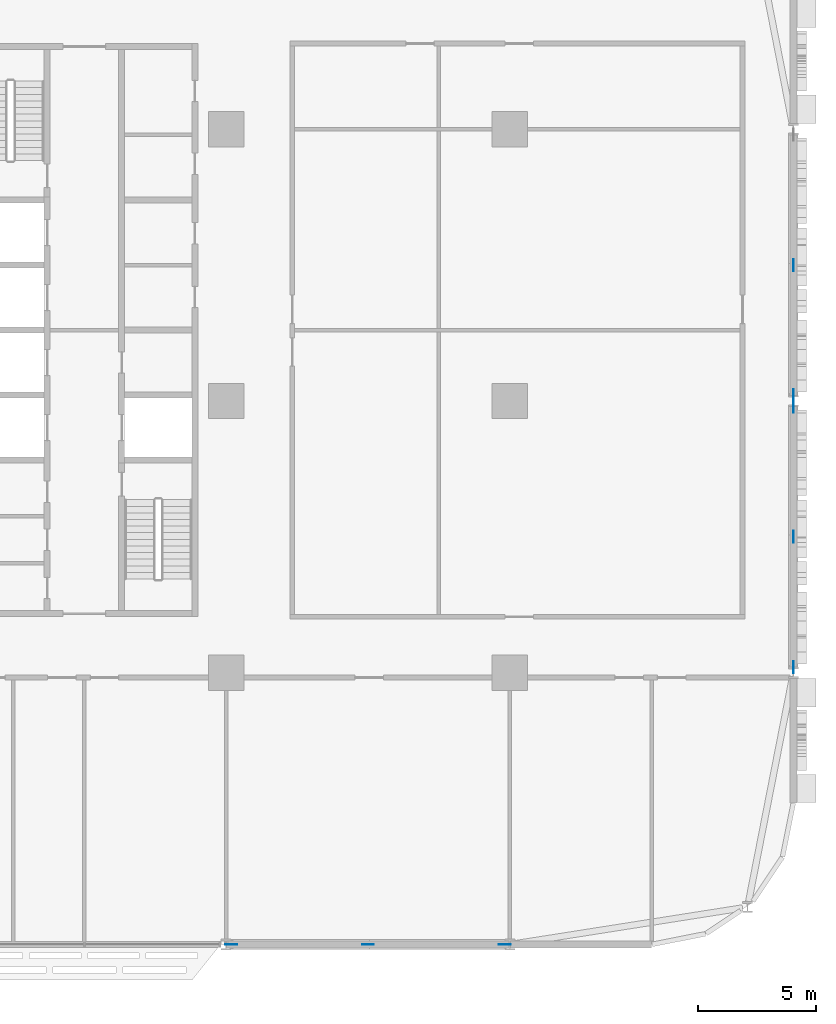
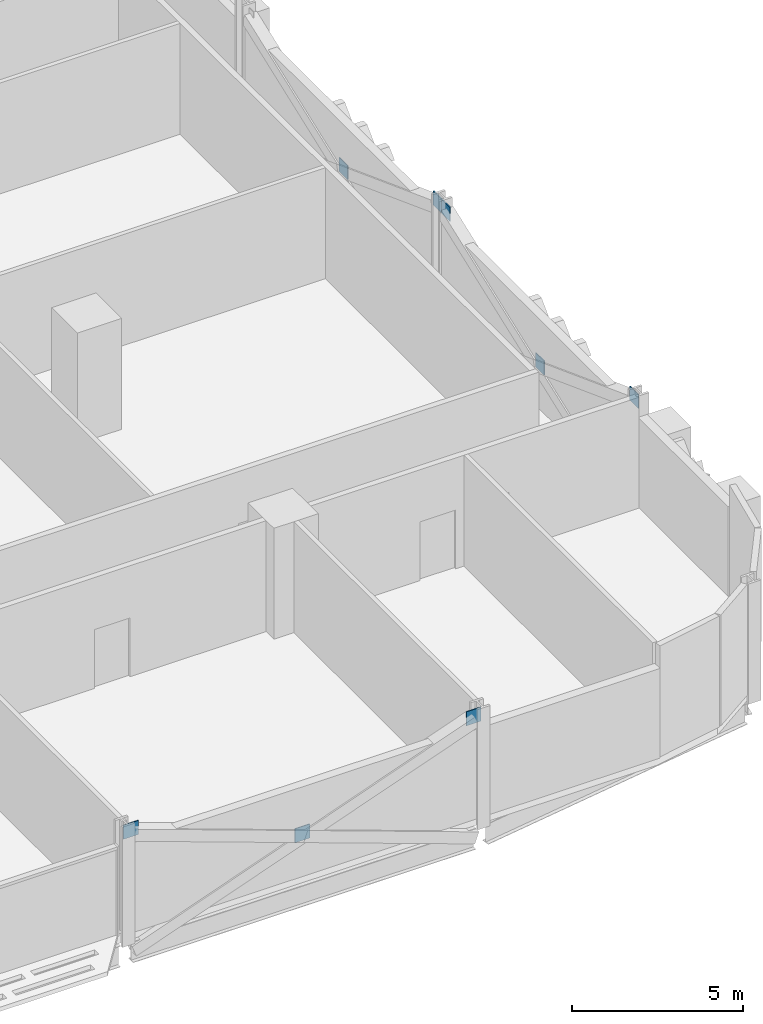
# One storey, part 22 of 29: 8 discrete accessories.
"""IFC4 building model written with IfcOpenShell, lengths in metres."""

from ifc_helpers import new_model, si_unit, direction, frame, origin, origin_2d, place, context, subcontext, project, spatial, rectangle, extrude, material, layer, layer_set, type_object, element, save


model = new_model("IFC4")

# Units and contexts
model_context = context("Model", 3, precision=1e-05, world=origin(), true_north=direction((0.0, 1.0)))
body_context = subcontext(model_context, "Body", "Model", "MODEL_VIEW")
ifc_project = project(units=[si_unit("LENGTHUNIT", "METRE"), si_unit("AREAUNIT", "SQUARE_METRE"), si_unit("VOLUMEUNIT", "CUBIC_METRE"), si_unit("PLANEANGLEUNIT", "RADIAN"), si_unit("MASSUNIT", "GRAM", prefix="KILO")], contexts=[model_context])

# Site, building, storey
site_placement = place(None, origin())
site = spatial("IfcSite", under=ifc_project, at=site_placement, CompositionType="ELEMENT")
building_placement = place(site_placement, origin())
building = spatial("IfcBuilding", under=site, at=building_placement, Name="Mahtab Terrace Research Tower", CompositionType="ELEMENT")
storey_placement = place(building_placement, frame((0.0, 0.0, 54.60009765625)))
storey = spatial("IfcBuildingStorey", under=building, at=storey_placement, Name="L12", CompositionType="ELEMENT", Elevation=54.60009765625)

# Discrete accessories
ifc_material = material(Name="Steel ASTM A992 Gr 50", Category="steel")
ifc_layer = layer(ifc_material, 0.030029296875)
ifc_layer_set = layer_set([ifc_layer], Name="Gusset plate 500x500x30")
discrete_accessory_type = type_object("IfcDiscreteAccessoryType", Name="Gusset plate 500x500x30", PredefinedType="USERDEFINED", material=ifc_layer_set)
for number, where, z_axis, x_axis, name in (
    (1, (30.212158203125, -23.0, 3.331298828125), (0.0, 0.0, 1.0), (1.0, 0.0, 0.0), "Gusset plate"),
    (2, (36.0, -23.0, 1.181396484375), (0.0, 0.0, 1.0), (1.0, 0.0, 0.0), "Gusset plate"),
    (3, (41.787841796875, -23.0, 3.331298828125), (0.0, 0.0, 1.0), (1.0, 0.0, 0.0), "Gusset plate"),
    (4, (54.0, -11.262451171875, 3.331298828125), (0.0, 0.0, 1.0), (0.0, 1.0, 0.0), "Gusset plate"),
    (5, (54.0, -5.75, 1.181396484375), (0.0, 0.0, 1.0), (0.0, 1.0, 0.0), "Gusset plate"),
    (6, (54.0, -0.237548828125, 3.331298828125), (0.0, 0.0, 1.0), (0.0, 1.0, 0.0), "Gusset plate"),
    (7, (54.0, 0.237548828125, 3.331298828125), (0.0, 0.0, 1.0), (0.0, 1.0, 0.0), "Gusset plate"),
    (8, (54.0, 5.75, 1.181396484375), (0.0, 0.0, 1.0), (0.0, 1.0, 0.0), "Gusset plate"),
):
    element("IfcDiscreteAccessory", number, at=place(storey_placement, frame(where, z_axis=z_axis, x_axis=x_axis)), inside=storey, type_object=discrete_accessory_type, Name=name, ObjectType="GUSSET PLATE", PredefinedType="USERDEFINED", context=body_context, shape_type="SweptSolid", body=[
        extrude(rectangle(XDim=0.5, YDim=0.030029296875, at=origin_2d()), origin(), (0.0, 0.0, 1.0), 0.5),
    ])

save(model, "model.ifc")
